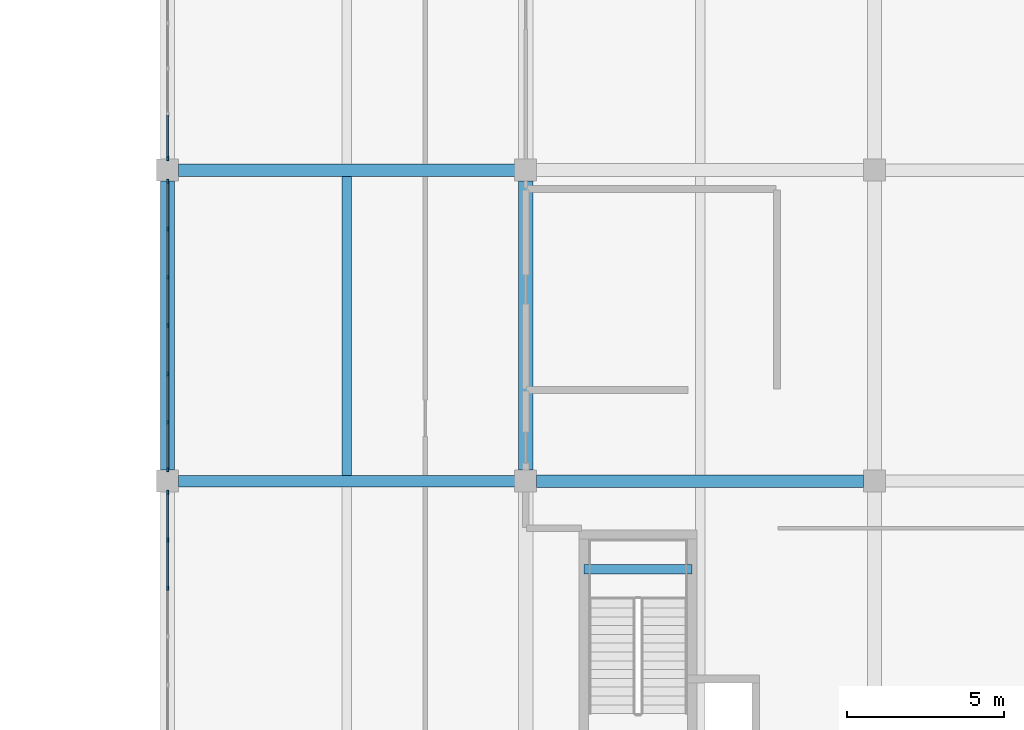
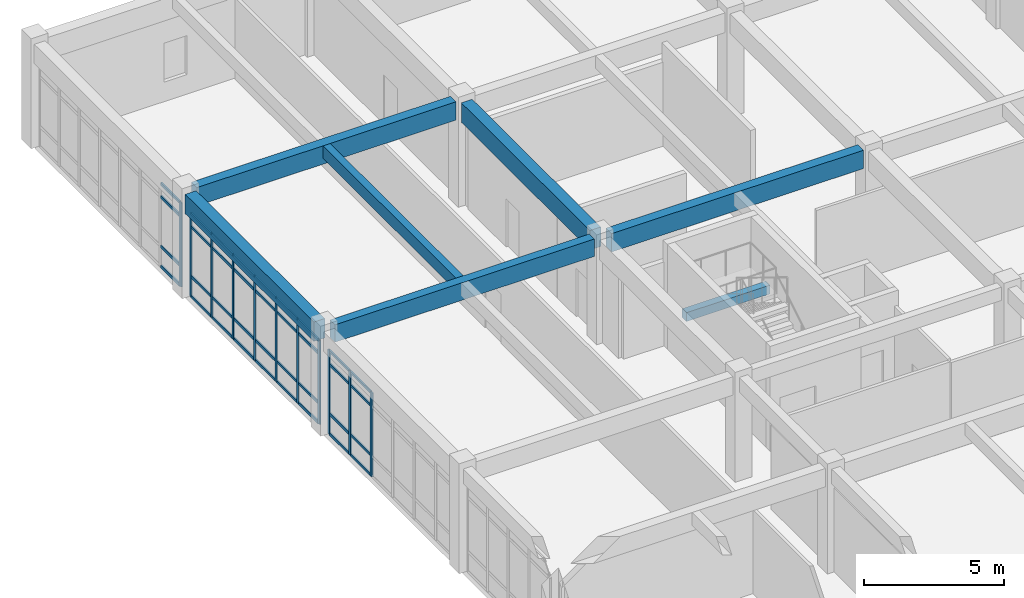
# One storey, part 29 of 65: 47 members, 7 beams, 3 elements without a shape of their own.
"""IFC4 building model written with IfcOpenShell, lengths in metres."""

from ifc_helpers import new_model, si_unit, direction, frame, origin, origin_2d, place, context, subcontext, project, spatial, rectangle, extrude, material, layer, layer_set, material_profile, profile_set, type_object, element, aggregate, save


model = new_model("IFC4")

# Units and contexts
model_context = context("Model", 3, precision=1e-05, world=origin(), true_north=direction((0.0, 1.0)))
body_context = subcontext(model_context, "Body", "Model", "MODEL_VIEW")
ifc_project = project(units=[si_unit("LENGTHUNIT", "METRE"), si_unit("AREAUNIT", "SQUARE_METRE"), si_unit("VOLUMEUNIT", "CUBIC_METRE"), si_unit("PLANEANGLEUNIT", "RADIAN"), si_unit("MASSUNIT", "GRAM", prefix="KILO")], contexts=[model_context])

# Site, building, storey
site_placement = place(None, origin())
site = spatial("IfcSite", under=ifc_project, at=site_placement, CompositionType="ELEMENT")
building_placement = place(site_placement, origin())
building = spatial("IfcBuilding", under=site, at=building_placement, Name="Miralva Faculty of Natural Sciences", CompositionType="ELEMENT")
storey_placement = place(building_placement, frame((0.0, 0.0, 10.199951171875)))
storey = spatial("IfcBuildingStorey", under=building, at=storey_placement, Name="L02", CompositionType="ELEMENT", Elevation=10.199951171875)

# Beams
ifc_material_1 = material(Name="Concrete C40/50", Category="concrete")
ifc_material_profile_1 = material_profile(ifc_material_1, rectangle(XDim=0.449951171875, YDim=0.85009765625, at=origin_2d()), Name="RC 450x850")
ifc_profile_set_1 = profile_set([ifc_material_profile_1], Name="Concrete C40/50")
beam_type_1 = type_object("IfcBeamType", Name="BM-B01", PredefinedType="BEAM", material=ifc_profile_set_1)
for number, where, z_axis, x_axis, name in (
    (1, (133.800048828125, 55.85009765625, 4.094970703125), (0.0, 1.0, 0.0), (-1.0, 0.0, 0.0), "Girder NS L02-125"),
    (2, (145.199951171875, 55.85009765625, 4.094970703125), (0.0, 1.0, 0.0), (-1.0, 0.0, 0.0), "Girder NS L02-132"),
):
    element("IfcBeam", number, at=place(storey_placement, frame(where, z_axis=z_axis, x_axis=x_axis)), inside=storey, type_object=beam_type_1, Name=name, PredefinedType="BEAM", context=body_context, shape_type="SweptSolid", body=[
        extrude(rectangle(XDim=0.449951171875, YDim=0.85009765625, at=origin_2d()), origin(), (0.0, 0.0, 1.0), 9.199951171875),
    ])
ifc_material_profile_2 = material_profile(ifc_material_1, rectangle(XDim=0.39990234375, YDim=0.800048828125, at=origin_2d()), Name="RC 400x800")
ifc_profile_set_2 = profile_set([ifc_material_profile_2], Name="Concrete C40/50")
beam_type_2 = type_object("IfcBeamType", Name="BM-B02", PredefinedType="BEAM", material=ifc_profile_set_2)
beam_1_placement = place(storey_placement, frame((145.550048828125, 55.5, 4.1201171875), z_axis=(1.0, 0.0, 0.0), x_axis=(0.0, 1.0, 0.0)))
element("IfcBeam", 3, at=beam_1_placement, inside=storey, type_object=beam_type_2, Name="Girder EW L02-48", PredefinedType="BEAM", context=body_context, shape_type="SweptSolid", body=[
    extrude(rectangle(XDim=0.39990234375, YDim=0.800048828125, at=origin_2d()), origin(), (0.0, 0.0, 1.0), 10.39990234375),
])
beam_2_placement = place(storey_placement, frame((134.14990234375, 65.39990234375, 4.1201171875), z_axis=(1.0, 0.0, 0.0), x_axis=(0.0, 1.0, 0.0)))
element("IfcBeam", 4, at=beam_2_placement, inside=storey, type_object=beam_type_2, Name="Girder EW L02-52", PredefinedType="BEAM", context=body_context, shape_type="SweptSolid", body=[
    extrude(rectangle(XDim=0.39990234375, YDim=0.800048828125, at=origin_2d()), origin(), (0.0, 0.0, 1.0), 10.7001953125),
])
ifc_material_profile_3 = material_profile(ifc_material_1, rectangle(XDim=0.360107421875, YDim=0.760009765625, at=origin_2d()), Name="RC 360x760")
ifc_profile_set_3 = profile_set([ifc_material_profile_3], Name="Concrete C40/50")
beam_type_3 = type_object("IfcBeamType", Name="BM-BG06", PredefinedType="BEAM", material=ifc_profile_set_3)
beam_3_placement = place(storey_placement, frame((134.14990234375, 55.5, 4.14013671875), z_axis=(1.0, 0.0, 0.0), x_axis=(0.0, 1.0, 0.0)))
element("IfcBeam", 5, at=beam_3_placement, inside=storey, type_object=beam_type_3, Name="Girder EW L02-47", PredefinedType="BEAM", context=body_context, shape_type="SweptSolid", body=[
    extrude(rectangle(XDim=0.360107421875, YDim=0.760009765625, at=origin_2d()), origin(), (0.0, 0.0, 1.0), 10.7001953125),
])
ifc_material_profile_4 = material_profile(ifc_material_1, rectangle(XDim=0.300048828125, YDim=0.550048828125, at=origin_2d()), Name="RC 300x550")
ifc_profile_set_4 = profile_set([ifc_material_profile_4], Name="Concrete C40/50")
beam_type_4 = type_object("IfcBeamType", Name="BM-J02", PredefinedType="JOIST", material=ifc_profile_set_4)
beam_4_placement = place(storey_placement, frame((139.5, 55.679931640625, 4.2451171875), z_axis=(0.0, 1.0, 0.0), x_axis=(-1.0, 0.0, 0.0)))
element("IfcBeam", 6, at=beam_4_placement, inside=storey, type_object=beam_type_4, Name="Floor joist L02-19", PredefinedType="JOIST", context=body_context, shape_type="SweptSolid", body=[
    extrude(rectangle(XDim=0.300048828125, YDim=0.550048828125, at=origin_2d()), origin(), (0.0, 0.0, 1.0), 9.52001953125),
])
ifc_material_profile_5 = material_profile(ifc_material_1, rectangle(XDim=0.300048828125, YDim=0.3798828125, at=origin_2d()), Name="RC 300x380")
ifc_profile_set_5 = profile_set([ifc_material_profile_5], Name="Concrete C40/50")
beam_type_5 = type_object("IfcBeamType", Name="BM-LND01", PredefinedType="BEAM", material=ifc_profile_set_5)
beam_5_placement = place(storey_placement, frame((147.050048828125, 52.695068359375, 2.02001953125), z_axis=(1.0, 0.0, 0.0), x_axis=(0.0, 1.0, 0.0)))
element("IfcBeam", 7, at=beam_5_placement, inside=storey, type_object=beam_type_5, Name="Stair Core C4 half-landing support beam L02", PredefinedType="BEAM", context=body_context, shape_type="SweptSolid", body=[
    extrude(rectangle(XDim=0.300048828125, YDim=0.3798828125, at=origin_2d()), origin(), (0.0, 0.0, 1.0), 3.449951171875),
])

# Curtain wall, members
ifc_material_2 = material(Name="Laminated solar-control glass", Category="glass")
ifc_layer = layer(ifc_material_2, 0.179931640625, Name="CW-COM-L01")
ifc_layer_set = layer_set([ifc_layer], Name="Laminated solar-control glass")
curtain_wall_type = type_object("IfcCurtainWallType", Name="CW-COM-L01", PredefinedType="USERDEFINED", material=ifc_layer_set)
curtain_wall_1_placement = place(storey_placement, origin())
curtain_wall_1 = element("IfcCurtainWall", 8, at=curtain_wall_1_placement, inside=storey, type_object=curtain_wall_type, Name="Curtain wall CW-10 L02-272", ObjectType="UNITISED CURTAIN WALL", PredefinedType="USERDEFINED")
ifc_material_3 = material(Name="Anodised aluminium", Category="aluminium")
ifc_material_profile_6 = material_profile(ifc_material_3, rectangle(XDim=0.06005859375, YDim=0.139892578125, at=origin_2d()), Name="MULLION 60x140")
ifc_profile_set_6 = profile_set([ifc_material_profile_6], Name="Anodised aluminium")
member_type_1 = type_object("IfcMemberType", Name="CW-M03", PredefinedType="MULLION", material=ifc_profile_set_6)
member_1_placement = place(storey_placement, frame((133.800048828125, 52.08837890625, 0.0), z_axis=(0.0, 0.0, 1.0), x_axis=(-1.0, 0.0, 0.0)))
member_1 = element("IfcMember", 9, at=member_1_placement, type_object=member_type_1, Name="CW-10 mullion 5", PredefinedType="MULLION", context=body_context, shape_type="SweptSolid", body=[
    extrude(rectangle(XDim=0.06005859375, YDim=0.139892578125, at=origin_2d()), origin(), (0.0, 0.0, 1.0), 3.6650390625),
])
member_2_placement = place(storey_placement, frame((133.800048828125, 53.626708984375, 0.0), z_axis=(0.0, 0.0, 1.0), x_axis=(-1.0, 0.0, 0.0)))
member_2 = element("IfcMember", 10, at=member_2_placement, type_object=member_type_1, Name="CW-10 mullion 6", PredefinedType="MULLION", context=body_context, shape_type="SweptSolid", body=[
    extrude(rectangle(XDim=0.06005859375, YDim=0.139892578125, at=origin_2d()), origin(), (0.0, 0.0, 1.0), 3.6650390625),
])
member_3_placement = place(storey_placement, frame((133.800048828125, 55.135009765625, 0.0), z_axis=(0.0, 0.0, 1.0), x_axis=(-1.0, 0.0, 0.0)))
member_3 = element("IfcMember", 11, at=member_3_placement, type_object=member_type_1, Name="CW-10 mullion 7", PredefinedType="MULLION", context=body_context, shape_type="SweptSolid", body=[
    extrude(rectangle(XDim=0.06005859375, YDim=0.139892578125, at=origin_2d()), origin(), (0.0, 0.0, 1.0), 3.6650390625),
])

curtain_wall_2_placement = place(storey_placement, origin())
curtain_wall_2 = element("IfcCurtainWall", 12, at=curtain_wall_2_placement, inside=storey, type_object=curtain_wall_type, Name="Curtain wall CW-10 L02-273", ObjectType="UNITISED CURTAIN WALL", PredefinedType="USERDEFINED")
member_4_placement = place(storey_placement, frame((133.800048828125, 55.864990234375, 0.0), z_axis=(0.0, 0.0, 1.0), x_axis=(-1.0, 0.0, 0.0)))
member_4 = element("IfcMember", 13, at=member_4_placement, type_object=member_type_1, Name="CW-10 mullion 1", PredefinedType="MULLION", context=body_context, shape_type="SweptSolid", body=[
    extrude(rectangle(XDim=0.06005859375, YDim=0.139892578125, at=origin_2d()), origin(), (0.0, 0.0, 1.0), 3.6650390625),
])
member_5_placement = place(storey_placement, frame((133.800048828125, 57.373291015625, 0.0), z_axis=(0.0, 0.0, 1.0), x_axis=(-1.0, 0.0, 0.0)))
member_5 = element("IfcMember", 14, at=member_5_placement, type_object=member_type_1, Name="CW-10 mullion 2", PredefinedType="MULLION", context=body_context, shape_type="SweptSolid", body=[
    extrude(rectangle(XDim=0.06005859375, YDim=0.139892578125, at=origin_2d()), origin(), (0.0, 0.0, 1.0), 3.6650390625),
])
member_6_placement = place(storey_placement, frame((133.800048828125, 58.91162109375, 0.0), z_axis=(0.0, 0.0, 1.0), x_axis=(-1.0, 0.0, 0.0)))
member_6 = element("IfcMember", 15, at=member_6_placement, type_object=member_type_1, Name="CW-10 mullion 3", PredefinedType="MULLION", context=body_context, shape_type="SweptSolid", body=[
    extrude(rectangle(XDim=0.06005859375, YDim=0.139892578125, at=origin_2d()), origin(), (0.0, 0.0, 1.0), 3.6650390625),
])
member_7_placement = place(storey_placement, frame((133.800048828125, 60.449951171875, 0.0), z_axis=(0.0, 0.0, 1.0), x_axis=(-1.0, 0.0, 0.0)))
member_7 = element("IfcMember", 16, at=member_7_placement, type_object=member_type_1, Name="CW-10 mullion 4", PredefinedType="MULLION", context=body_context, shape_type="SweptSolid", body=[
    extrude(rectangle(XDim=0.06005859375, YDim=0.139892578125, at=origin_2d()), origin(), (0.0, 0.0, 1.0), 3.6650390625),
])
member_8_placement = place(storey_placement, frame((133.800048828125, 61.98828125, 0.0), z_axis=(0.0, 0.0, 1.0), x_axis=(-1.0, 0.0, 0.0)))
member_8 = element("IfcMember", 17, at=member_8_placement, type_object=member_type_1, Name="CW-10 mullion 5", PredefinedType="MULLION", context=body_context, shape_type="SweptSolid", body=[
    extrude(rectangle(XDim=0.06005859375, YDim=0.139892578125, at=origin_2d()), origin(), (0.0, 0.0, 1.0), 3.6650390625),
])
member_9_placement = place(storey_placement, frame((133.800048828125, 63.526611328125, 0.0), z_axis=(0.0, 0.0, 1.0), x_axis=(-1.0, 0.0, 0.0)))
member_9 = element("IfcMember", 18, at=member_9_placement, type_object=member_type_1, Name="CW-10 mullion 6", PredefinedType="MULLION", context=body_context, shape_type="SweptSolid", body=[
    extrude(rectangle(XDim=0.06005859375, YDim=0.139892578125, at=origin_2d()), origin(), (0.0, 0.0, 1.0), 3.6650390625),
])
member_10_placement = place(storey_placement, frame((133.800048828125, 65.034912109375, 0.0), z_axis=(0.0, 0.0, 1.0), x_axis=(-1.0, 0.0, 0.0)))
member_10 = element("IfcMember", 19, at=member_10_placement, type_object=member_type_1, Name="CW-10 mullion 7", PredefinedType="MULLION", context=body_context, shape_type="SweptSolid", body=[
    extrude(rectangle(XDim=0.06005859375, YDim=0.139892578125, at=origin_2d()), origin(), (0.0, 0.0, 1.0), 3.6650390625),
])

# Curtain wall, member
curtain_wall_3_placement = place(storey_placement, origin())
curtain_wall_3 = element("IfcCurtainWall", 20, at=curtain_wall_3_placement, inside=storey, type_object=curtain_wall_type, Name="Curtain wall CW-10 L02-274", ObjectType="UNITISED CURTAIN WALL", PredefinedType="USERDEFINED")
member_11_placement = place(storey_placement, frame((133.800048828125, 65.764892578125, 0.0), z_axis=(0.0, 0.0, 1.0), x_axis=(-1.0, 0.0, 0.0)))
member_11 = element("IfcMember", 21, at=member_11_placement, type_object=member_type_1, Name="CW-10 mullion 1", PredefinedType="MULLION", context=body_context, shape_type="SweptSolid", body=[
    extrude(rectangle(XDim=0.06005859375, YDim=0.139892578125, at=origin_2d()), origin(), (0.0, 0.0, 1.0), 3.6650390625),
])

# Member
ifc_material_profile_7 = material_profile(ifc_material_3, rectangle(XDim=0.06005859375, YDim=0.1201171875, at=origin_2d()), Name="TRANSOM 60x120")
ifc_profile_set_7 = profile_set([ifc_material_profile_7], Name="Anodised aluminium")
member_type_2 = type_object("IfcMemberType", Name="CW-T02", PredefinedType="USERDEFINED", material=ifc_profile_set_7)
member_12_placement = place(storey_placement, frame((133.800048828125, 52.118408203125, 0.030029296875), z_axis=(0.0, 1.0, 0.0), x_axis=(-1.0, 0.0, 0.0)))
member_12 = element("IfcMember", 22, at=member_12_placement, type_object=member_type_2, Name="CW-10 transom 5.1", ObjectType="TRANSOM", PredefinedType="USERDEFINED", context=body_context, shape_type="SweptSolid", body=[
    extrude(rectangle(XDim=0.06005859375, YDim=0.1201171875, at=origin_2d()), origin(), (0.0, 0.0, 1.0), 1.478271484375),
])

member_13_placement = place(storey_placement, frame((133.800048828125, 52.118408203125, 0.900146484375), z_axis=(0.0, 1.0, 0.0), x_axis=(-1.0, 0.0, 0.0)))
member_13 = element("IfcMember", 23, at=member_13_placement, type_object=member_type_2, Name="CW-10 transom 5.2", ObjectType="TRANSOM", PredefinedType="USERDEFINED", context=body_context, shape_type="SweptSolid", body=[
    extrude(rectangle(XDim=0.06005859375, YDim=0.1201171875, at=origin_2d()), origin(), (0.0, 0.0, 1.0), 1.478271484375),
])

member_14_placement = place(storey_placement, frame((133.800048828125, 52.118408203125, 3.06494140625), z_axis=(0.0, 1.0, 0.0), x_axis=(-1.0, 0.0, 0.0)))
member_14 = element("IfcMember", 24, at=member_14_placement, type_object=member_type_2, Name="CW-10 transom 5.3", ObjectType="TRANSOM", PredefinedType="USERDEFINED", context=body_context, shape_type="SweptSolid", body=[
    extrude(rectangle(XDim=0.06005859375, YDim=0.1201171875, at=origin_2d()), origin(), (0.0, 0.0, 1.0), 1.478271484375),
])

member_15_placement = place(storey_placement, frame((133.800048828125, 52.118408203125, 3.635009765625), z_axis=(0.0, 1.0, 0.0), x_axis=(-1.0, 0.0, 0.0)))
member_15 = element("IfcMember", 25, at=member_15_placement, type_object=member_type_2, Name="CW-10 transom 5.4", ObjectType="TRANSOM", PredefinedType="USERDEFINED", context=body_context, shape_type="SweptSolid", body=[
    extrude(rectangle(XDim=0.06005859375, YDim=0.1201171875, at=origin_2d()), origin(), (0.0, 0.0, 1.0), 1.478271484375),
])

member_16_placement = place(storey_placement, frame((133.800048828125, 53.65673828125, 0.030029296875), z_axis=(0.0, 1.0, 0.0), x_axis=(-1.0, 0.0, 0.0)))
member_16 = element("IfcMember", 26, at=member_16_placement, type_object=member_type_2, Name="CW-10 transom 6.1", ObjectType="TRANSOM", PredefinedType="USERDEFINED", context=body_context, shape_type="SweptSolid", body=[
    extrude(rectangle(XDim=0.06005859375, YDim=0.1201171875, at=origin_2d()), origin(), (0.0, 0.0, 1.0), 1.4482421875),
])

member_17_placement = place(storey_placement, frame((133.800048828125, 53.65673828125, 0.900146484375), z_axis=(0.0, 1.0, 0.0), x_axis=(-1.0, 0.0, 0.0)))
member_17 = element("IfcMember", 27, at=member_17_placement, type_object=member_type_2, Name="CW-10 transom 6.2", ObjectType="TRANSOM", PredefinedType="USERDEFINED", context=body_context, shape_type="SweptSolid", body=[
    extrude(rectangle(XDim=0.06005859375, YDim=0.1201171875, at=origin_2d()), origin(), (0.0, 0.0, 1.0), 1.4482421875),
])

member_18_placement = place(storey_placement, frame((133.800048828125, 53.65673828125, 3.06494140625), z_axis=(0.0, 1.0, 0.0), x_axis=(-1.0, 0.0, 0.0)))
member_18 = element("IfcMember", 28, at=member_18_placement, type_object=member_type_2, Name="CW-10 transom 6.3", ObjectType="TRANSOM", PredefinedType="USERDEFINED", context=body_context, shape_type="SweptSolid", body=[
    extrude(rectangle(XDim=0.06005859375, YDim=0.1201171875, at=origin_2d()), origin(), (0.0, 0.0, 1.0), 1.4482421875),
])

member_19_placement = place(storey_placement, frame((133.800048828125, 53.65673828125, 3.635009765625), z_axis=(0.0, 1.0, 0.0), x_axis=(-1.0, 0.0, 0.0)))
member_19 = element("IfcMember", 29, at=member_19_placement, type_object=member_type_2, Name="CW-10 transom 6.4", ObjectType="TRANSOM", PredefinedType="USERDEFINED", context=body_context, shape_type="SweptSolid", body=[
    extrude(rectangle(XDim=0.06005859375, YDim=0.1201171875, at=origin_2d()), origin(), (0.0, 0.0, 1.0), 1.4482421875),
])

aggregate(curtain_wall_1, [member_1, member_2, member_3, member_12, member_13, member_14, member_15, member_16, member_17, member_18, member_19])

member_20_placement = place(storey_placement, frame((133.800048828125, 55.89501953125, 0.030029296875), z_axis=(0.0, 1.0, 0.0), x_axis=(-1.0, 0.0, 0.0)))
member_20 = element("IfcMember", 30, at=member_20_placement, type_object=member_type_2, Name="CW-10 transom 1.1", ObjectType="TRANSOM", PredefinedType="USERDEFINED", context=body_context, shape_type="SweptSolid", body=[
    extrude(rectangle(XDim=0.06005859375, YDim=0.1201171875, at=origin_2d()), origin(), (0.0, 0.0, 1.0), 1.4482421875),
])

member_21_placement = place(storey_placement, frame((133.800048828125, 55.89501953125, 0.900146484375), z_axis=(0.0, 1.0, 0.0), x_axis=(-1.0, 0.0, 0.0)))
member_21 = element("IfcMember", 31, at=member_21_placement, type_object=member_type_2, Name="CW-10 transom 1.2", ObjectType="TRANSOM", PredefinedType="USERDEFINED", context=body_context, shape_type="SweptSolid", body=[
    extrude(rectangle(XDim=0.06005859375, YDim=0.1201171875, at=origin_2d()), origin(), (0.0, 0.0, 1.0), 1.4482421875),
])

member_22_placement = place(storey_placement, frame((133.800048828125, 55.89501953125, 3.06494140625), z_axis=(0.0, 1.0, 0.0), x_axis=(-1.0, 0.0, 0.0)))
member_22 = element("IfcMember", 32, at=member_22_placement, type_object=member_type_2, Name="CW-10 transom 1.3", ObjectType="TRANSOM", PredefinedType="USERDEFINED", context=body_context, shape_type="SweptSolid", body=[
    extrude(rectangle(XDim=0.06005859375, YDim=0.1201171875, at=origin_2d()), origin(), (0.0, 0.0, 1.0), 1.4482421875),
])

member_23_placement = place(storey_placement, frame((133.800048828125, 55.89501953125, 3.635009765625), z_axis=(0.0, 1.0, 0.0), x_axis=(-1.0, 0.0, 0.0)))
member_23 = element("IfcMember", 33, at=member_23_placement, type_object=member_type_2, Name="CW-10 transom 1.4", ObjectType="TRANSOM", PredefinedType="USERDEFINED", context=body_context, shape_type="SweptSolid", body=[
    extrude(rectangle(XDim=0.06005859375, YDim=0.1201171875, at=origin_2d()), origin(), (0.0, 0.0, 1.0), 1.4482421875),
])

member_24_placement = place(storey_placement, frame((133.800048828125, 57.4033203125, 0.030029296875), z_axis=(0.0, 1.0, 0.0), x_axis=(-1.0, 0.0, 0.0)))
member_24 = element("IfcMember", 34, at=member_24_placement, type_object=member_type_2, Name="CW-10 transom 2.1", ObjectType="TRANSOM", PredefinedType="USERDEFINED", context=body_context, shape_type="SweptSolid", body=[
    extrude(rectangle(XDim=0.06005859375, YDim=0.1201171875, at=origin_2d()), origin(), (0.0, 0.0, 1.0), 1.478271484375),
])

member_25_placement = place(storey_placement, frame((133.800048828125, 57.4033203125, 0.900146484375), z_axis=(0.0, 1.0, 0.0), x_axis=(-1.0, 0.0, 0.0)))
member_25 = element("IfcMember", 35, at=member_25_placement, type_object=member_type_2, Name="CW-10 transom 2.2", ObjectType="TRANSOM", PredefinedType="USERDEFINED", context=body_context, shape_type="SweptSolid", body=[
    extrude(rectangle(XDim=0.06005859375, YDim=0.1201171875, at=origin_2d()), origin(), (0.0, 0.0, 1.0), 1.478271484375),
])

member_26_placement = place(storey_placement, frame((133.800048828125, 57.4033203125, 3.06494140625), z_axis=(0.0, 1.0, 0.0), x_axis=(-1.0, 0.0, 0.0)))
member_26 = element("IfcMember", 36, at=member_26_placement, type_object=member_type_2, Name="CW-10 transom 2.3", ObjectType="TRANSOM", PredefinedType="USERDEFINED", context=body_context, shape_type="SweptSolid", body=[
    extrude(rectangle(XDim=0.06005859375, YDim=0.1201171875, at=origin_2d()), origin(), (0.0, 0.0, 1.0), 1.478271484375),
])

member_27_placement = place(storey_placement, frame((133.800048828125, 57.4033203125, 3.635009765625), z_axis=(0.0, 1.0, 0.0), x_axis=(-1.0, 0.0, 0.0)))
member_27 = element("IfcMember", 37, at=member_27_placement, type_object=member_type_2, Name="CW-10 transom 2.4", ObjectType="TRANSOM", PredefinedType="USERDEFINED", context=body_context, shape_type="SweptSolid", body=[
    extrude(rectangle(XDim=0.06005859375, YDim=0.1201171875, at=origin_2d()), origin(), (0.0, 0.0, 1.0), 1.478271484375),
])

member_28_placement = place(storey_placement, frame((133.800048828125, 58.941650390625, 0.030029296875), z_axis=(0.0, 1.0, 0.0), x_axis=(-1.0, 0.0, 0.0)))
member_28 = element("IfcMember", 38, at=member_28_placement, type_object=member_type_2, Name="CW-10 transom 3.1", ObjectType="TRANSOM", PredefinedType="USERDEFINED", context=body_context, shape_type="SweptSolid", body=[
    extrude(rectangle(XDim=0.06005859375, YDim=0.1201171875, at=origin_2d()), origin(), (0.0, 0.0, 1.0), 1.478271484375),
])

member_29_placement = place(storey_placement, frame((133.800048828125, 58.941650390625, 0.900146484375), z_axis=(0.0, 1.0, 0.0), x_axis=(-1.0, 0.0, 0.0)))
member_29 = element("IfcMember", 39, at=member_29_placement, type_object=member_type_2, Name="CW-10 transom 3.2", ObjectType="TRANSOM", PredefinedType="USERDEFINED", context=body_context, shape_type="SweptSolid", body=[
    extrude(rectangle(XDim=0.06005859375, YDim=0.1201171875, at=origin_2d()), origin(), (0.0, 0.0, 1.0), 1.478271484375),
])

member_30_placement = place(storey_placement, frame((133.800048828125, 58.941650390625, 3.06494140625), z_axis=(0.0, 1.0, 0.0), x_axis=(-1.0, 0.0, 0.0)))
member_30 = element("IfcMember", 40, at=member_30_placement, type_object=member_type_2, Name="CW-10 transom 3.3", ObjectType="TRANSOM", PredefinedType="USERDEFINED", context=body_context, shape_type="SweptSolid", body=[
    extrude(rectangle(XDim=0.06005859375, YDim=0.1201171875, at=origin_2d()), origin(), (0.0, 0.0, 1.0), 1.478271484375),
])

member_31_placement = place(storey_placement, frame((133.800048828125, 58.941650390625, 3.635009765625), z_axis=(0.0, 1.0, 0.0), x_axis=(-1.0, 0.0, 0.0)))
member_31 = element("IfcMember", 41, at=member_31_placement, type_object=member_type_2, Name="CW-10 transom 3.4", ObjectType="TRANSOM", PredefinedType="USERDEFINED", context=body_context, shape_type="SweptSolid", body=[
    extrude(rectangle(XDim=0.06005859375, YDim=0.1201171875, at=origin_2d()), origin(), (0.0, 0.0, 1.0), 1.478271484375),
])

member_32_placement = place(storey_placement, frame((133.800048828125, 60.47998046875, 0.030029296875), z_axis=(0.0, 1.0, 0.0), x_axis=(-1.0, 0.0, 0.0)))
member_32 = element("IfcMember", 42, at=member_32_placement, type_object=member_type_2, Name="CW-10 transom 4.1", ObjectType="TRANSOM", PredefinedType="USERDEFINED", context=body_context, shape_type="SweptSolid", body=[
    extrude(rectangle(XDim=0.06005859375, YDim=0.1201171875, at=origin_2d()), origin(), (0.0, 0.0, 1.0), 1.478271484375),
])

member_33_placement = place(storey_placement, frame((133.800048828125, 60.47998046875, 0.900146484375), z_axis=(0.0, 1.0, 0.0), x_axis=(-1.0, 0.0, 0.0)))
member_33 = element("IfcMember", 43, at=member_33_placement, type_object=member_type_2, Name="CW-10 transom 4.2", ObjectType="TRANSOM", PredefinedType="USERDEFINED", context=body_context, shape_type="SweptSolid", body=[
    extrude(rectangle(XDim=0.06005859375, YDim=0.1201171875, at=origin_2d()), origin(), (0.0, 0.0, 1.0), 1.478271484375),
])

member_34_placement = place(storey_placement, frame((133.800048828125, 60.47998046875, 3.06494140625), z_axis=(0.0, 1.0, 0.0), x_axis=(-1.0, 0.0, 0.0)))
member_34 = element("IfcMember", 44, at=member_34_placement, type_object=member_type_2, Name="CW-10 transom 4.3", ObjectType="TRANSOM", PredefinedType="USERDEFINED", context=body_context, shape_type="SweptSolid", body=[
    extrude(rectangle(XDim=0.06005859375, YDim=0.1201171875, at=origin_2d()), origin(), (0.0, 0.0, 1.0), 1.478271484375),
])

member_35_placement = place(storey_placement, frame((133.800048828125, 60.47998046875, 3.635009765625), z_axis=(0.0, 1.0, 0.0), x_axis=(-1.0, 0.0, 0.0)))
member_35 = element("IfcMember", 45, at=member_35_placement, type_object=member_type_2, Name="CW-10 transom 4.4", ObjectType="TRANSOM", PredefinedType="USERDEFINED", context=body_context, shape_type="SweptSolid", body=[
    extrude(rectangle(XDim=0.06005859375, YDim=0.1201171875, at=origin_2d()), origin(), (0.0, 0.0, 1.0), 1.478271484375),
])

member_36_placement = place(storey_placement, frame((133.800048828125, 62.018310546875, 0.030029296875), z_axis=(0.0, 1.0, 0.0), x_axis=(-1.0, 0.0, 0.0)))
member_36 = element("IfcMember", 46, at=member_36_placement, type_object=member_type_2, Name="CW-10 transom 5.1", ObjectType="TRANSOM", PredefinedType="USERDEFINED", context=body_context, shape_type="SweptSolid", body=[
    extrude(rectangle(XDim=0.06005859375, YDim=0.1201171875, at=origin_2d()), origin(), (0.0, 0.0, 1.0), 1.478271484375),
])

member_37_placement = place(storey_placement, frame((133.800048828125, 62.018310546875, 0.900146484375), z_axis=(0.0, 1.0, 0.0), x_axis=(-1.0, 0.0, 0.0)))
member_37 = element("IfcMember", 47, at=member_37_placement, type_object=member_type_2, Name="CW-10 transom 5.2", ObjectType="TRANSOM", PredefinedType="USERDEFINED", context=body_context, shape_type="SweptSolid", body=[
    extrude(rectangle(XDim=0.06005859375, YDim=0.1201171875, at=origin_2d()), origin(), (0.0, 0.0, 1.0), 1.478271484375),
])

member_38_placement = place(storey_placement, frame((133.800048828125, 62.018310546875, 3.06494140625), z_axis=(0.0, 1.0, 0.0), x_axis=(-1.0, 0.0, 0.0)))
member_38 = element("IfcMember", 48, at=member_38_placement, type_object=member_type_2, Name="CW-10 transom 5.3", ObjectType="TRANSOM", PredefinedType="USERDEFINED", context=body_context, shape_type="SweptSolid", body=[
    extrude(rectangle(XDim=0.06005859375, YDim=0.1201171875, at=origin_2d()), origin(), (0.0, 0.0, 1.0), 1.478271484375),
])

member_39_placement = place(storey_placement, frame((133.800048828125, 62.018310546875, 3.635009765625), z_axis=(0.0, 1.0, 0.0), x_axis=(-1.0, 0.0, 0.0)))
member_39 = element("IfcMember", 49, at=member_39_placement, type_object=member_type_2, Name="CW-10 transom 5.4", ObjectType="TRANSOM", PredefinedType="USERDEFINED", context=body_context, shape_type="SweptSolid", body=[
    extrude(rectangle(XDim=0.06005859375, YDim=0.1201171875, at=origin_2d()), origin(), (0.0, 0.0, 1.0), 1.478271484375),
])

member_40_placement = place(storey_placement, frame((133.800048828125, 63.556640625, 0.030029296875), z_axis=(0.0, 1.0, 0.0), x_axis=(-1.0, 0.0, 0.0)))
member_40 = element("IfcMember", 50, at=member_40_placement, type_object=member_type_2, Name="CW-10 transom 6.1", ObjectType="TRANSOM", PredefinedType="USERDEFINED", context=body_context, shape_type="SweptSolid", body=[
    extrude(rectangle(XDim=0.06005859375, YDim=0.1201171875, at=origin_2d()), origin(), (0.0, 0.0, 1.0), 1.4482421875),
])

member_41_placement = place(storey_placement, frame((133.800048828125, 63.556640625, 0.900146484375), z_axis=(0.0, 1.0, 0.0), x_axis=(-1.0, 0.0, 0.0)))
member_41 = element("IfcMember", 51, at=member_41_placement, type_object=member_type_2, Name="CW-10 transom 6.2", ObjectType="TRANSOM", PredefinedType="USERDEFINED", context=body_context, shape_type="SweptSolid", body=[
    extrude(rectangle(XDim=0.06005859375, YDim=0.1201171875, at=origin_2d()), origin(), (0.0, 0.0, 1.0), 1.4482421875),
])

member_42_placement = place(storey_placement, frame((133.800048828125, 63.556640625, 3.06494140625), z_axis=(0.0, 1.0, 0.0), x_axis=(-1.0, 0.0, 0.0)))
member_42 = element("IfcMember", 52, at=member_42_placement, type_object=member_type_2, Name="CW-10 transom 6.3", ObjectType="TRANSOM", PredefinedType="USERDEFINED", context=body_context, shape_type="SweptSolid", body=[
    extrude(rectangle(XDim=0.06005859375, YDim=0.1201171875, at=origin_2d()), origin(), (0.0, 0.0, 1.0), 1.4482421875),
])

member_43_placement = place(storey_placement, frame((133.800048828125, 63.556640625, 3.635009765625), z_axis=(0.0, 1.0, 0.0), x_axis=(-1.0, 0.0, 0.0)))
member_43 = element("IfcMember", 53, at=member_43_placement, type_object=member_type_2, Name="CW-10 transom 6.4", ObjectType="TRANSOM", PredefinedType="USERDEFINED", context=body_context, shape_type="SweptSolid", body=[
    extrude(rectangle(XDim=0.06005859375, YDim=0.1201171875, at=origin_2d()), origin(), (0.0, 0.0, 1.0), 1.4482421875),
])

aggregate(curtain_wall_2, [member_4, member_5, member_6, member_7, member_8, member_9, member_10, member_20, member_21, member_22, member_23, member_24, member_25, member_26, member_27, member_28, member_29, member_30, member_31, member_32, member_33, member_34, member_35, member_36, member_37, member_38, member_39, member_40, member_41, member_42, member_43])

member_44_placement = place(storey_placement, frame((133.800048828125, 65.794921875, 0.030029296875), z_axis=(0.0, 1.0, 0.0), x_axis=(-1.0, 0.0, 0.0)))
member_44 = element("IfcMember", 54, at=member_44_placement, type_object=member_type_2, Name="CW-10 transom 1.1", ObjectType="TRANSOM", PredefinedType="USERDEFINED", context=body_context, shape_type="SweptSolid", body=[
    extrude(rectangle(XDim=0.06005859375, YDim=0.1201171875, at=origin_2d()), origin(), (0.0, 0.0, 1.0), 1.357177734375),
])

member_45_placement = place(storey_placement, frame((133.800048828125, 65.794921875, 0.900146484375), z_axis=(0.0, 1.0, 0.0), x_axis=(-1.0, 0.0, 0.0)))
member_45 = element("IfcMember", 55, at=member_45_placement, type_object=member_type_2, Name="CW-10 transom 1.2", ObjectType="TRANSOM", PredefinedType="USERDEFINED", context=body_context, shape_type="SweptSolid", body=[
    extrude(rectangle(XDim=0.06005859375, YDim=0.1201171875, at=origin_2d()), origin(), (0.0, 0.0, 1.0), 1.357177734375),
])

member_46_placement = place(storey_placement, frame((133.800048828125, 65.794921875, 3.06494140625), z_axis=(0.0, 1.0, 0.0), x_axis=(-1.0, 0.0, 0.0)))
member_46 = element("IfcMember", 56, at=member_46_placement, type_object=member_type_2, Name="CW-10 transom 1.3", ObjectType="TRANSOM", PredefinedType="USERDEFINED", context=body_context, shape_type="SweptSolid", body=[
    extrude(rectangle(XDim=0.06005859375, YDim=0.1201171875, at=origin_2d()), origin(), (0.0, 0.0, 1.0), 1.357177734375),
])

member_47_placement = place(storey_placement, frame((133.800048828125, 65.794921875, 3.635009765625), z_axis=(0.0, 1.0, 0.0), x_axis=(-1.0, 0.0, 0.0)))
member_47 = element("IfcMember", 57, at=member_47_placement, type_object=member_type_2, Name="CW-10 transom 1.4", ObjectType="TRANSOM", PredefinedType="USERDEFINED", context=body_context, shape_type="SweptSolid", body=[
    extrude(rectangle(XDim=0.06005859375, YDim=0.1201171875, at=origin_2d()), origin(), (0.0, 0.0, 1.0), 1.357177734375),
])

aggregate(curtain_wall_3, [member_11, member_44, member_45, member_46, member_47])

save(model, "model.ifc")
